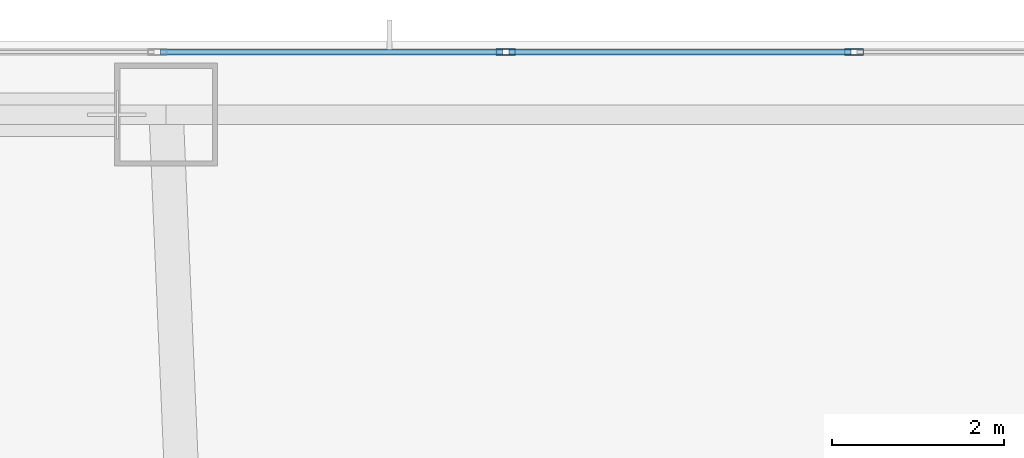
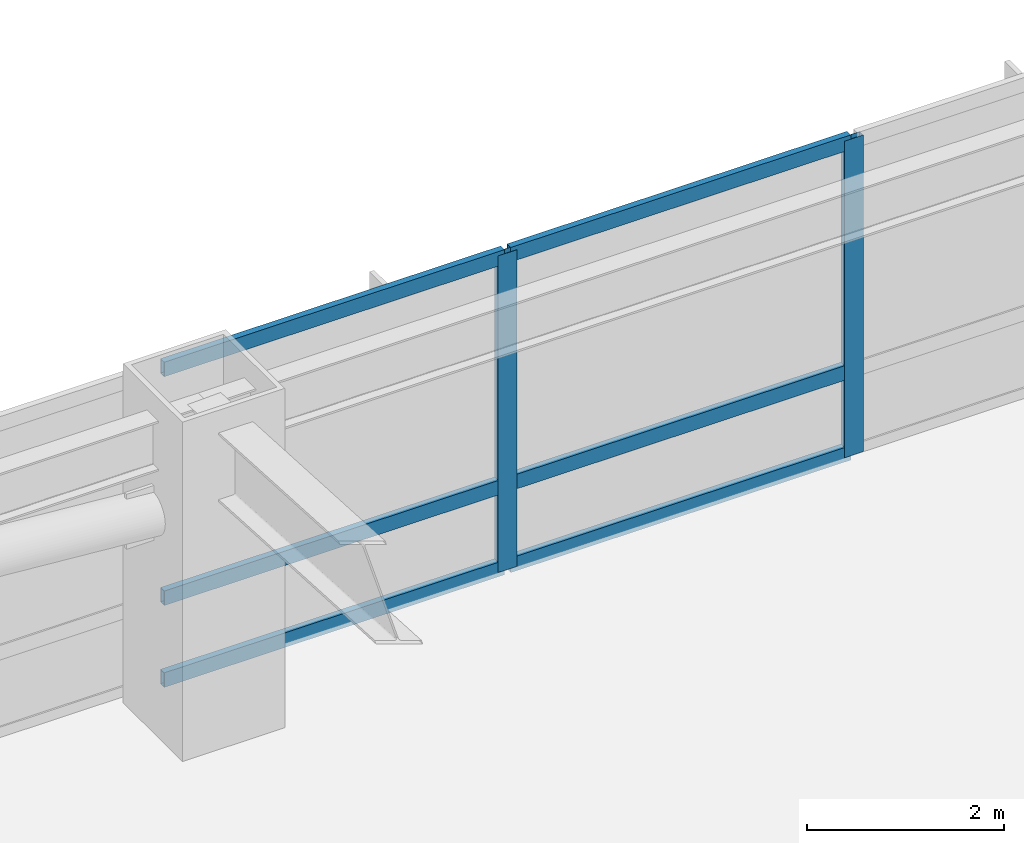
# One storey, part 4 of 25: 8 members, 1 element without a shape of its own.
"""IFC4 building model written with IfcOpenShell, lengths in metres."""

from ifc_helpers import new_model, si_unit, direction, frame, origin, origin_2d, place, context, subcontext, project, spatial, hollow_rectangle, extrude, material, material_profile, profile_set, type_object, element, aggregate, save


model = new_model("IFC4")

# Units and contexts
model_context = context("Model", 3, precision=1e-05, world=origin(), true_north=direction((0.0, 1.0)))
body_context = subcontext(model_context, "Body", "Model", "MODEL_VIEW")
ifc_project = project(units=[si_unit("LENGTHUNIT", "METRE"), si_unit("AREAUNIT", "SQUARE_METRE"), si_unit("VOLUMEUNIT", "CUBIC_METRE"), si_unit("PLANEANGLEUNIT", "RADIAN"), si_unit("MASSUNIT", "GRAM", prefix="KILO")], contexts=[model_context])

# Site, building, storey
site_placement = place(None, origin())
site = spatial("IfcSite", under=ifc_project, at=site_placement, CompositionType="ELEMENT")
building_placement = place(site_placement, origin())
building = spatial("IfcBuilding", under=site, at=building_placement, Name="Khamvora Tower", CompositionType="ELEMENT")
storey_placement = place(building_placement, frame((0.0, 0.0, 24.60009765625)))
storey = spatial("IfcBuildingStorey", under=building, at=storey_placement, Name="L05", CompositionType="ELEMENT", Elevation=24.60009765625)

# Curtain wall, members
ifc_material = material(Name="Anodised Aluminium 6063-T6", Category="aluminium")
curtain_wall_type = type_object("IfcCurtainWallType", Name="CW-SYS-01", PredefinedType="NOTDEFINED", material=ifc_material)
curtain_wall_placement = place(storey_placement, origin())
curtain_wall = element("IfcCurtainWall", 1, at=curtain_wall_placement, inside=storey, type_object=curtain_wall_type, Name="L05 stick curtain wall 07.1", PredefinedType="NOTDEFINED")
ifc_material_profile_1 = material_profile(ifc_material, hollow_rectangle(XDim=0.074951171875, YDim=0.219970703125, WallThickness=0.0048828125, at=origin_2d()), Name="MUL75x220x5")
ifc_profile_set_1 = profile_set([ifc_material_profile_1], Name="Anodised Aluminium 6063-T6")
member_type_1 = type_object("IfcMemberType", Name="CW-SYS-01-MUL", PredefinedType="MULLION", material=ifc_profile_set_1)
member_1_placement = place(storey_placement, frame((21.95361328125, 55.8798828125, 0.0), z_axis=(0.0, 0.0, 1.0), x_axis=(0.0, 1.0, 0.0)))
member_1 = element("IfcMember", 2, at=member_1_placement, type_object=member_type_1, Name="CW-01 mullion 5", PredefinedType="MULLION", context=body_context, shape_type="SweptSolid", body=[
    extrude(hollow_rectangle(XDim=0.074951171875, YDim=0.219970703125, WallThickness=0.0048828125, at=origin_2d()), origin(), (0.0, 0.0, 1.0), 3.919921875),
])
member_2_placement = place(storey_placement, frame((26.01025390625, 55.8798828125, 0.0), z_axis=(0.0, 0.0, 1.0), x_axis=(0.0, 1.0, 0.0)))
member_2 = element("IfcMember", 3, at=member_2_placement, type_object=member_type_1, Name="CW-01 mullion 6", PredefinedType="MULLION", context=body_context, shape_type="SweptSolid", body=[
    extrude(hollow_rectangle(XDim=0.074951171875, YDim=0.219970703125, WallThickness=0.0048828125, at=origin_2d()), origin(), (0.0, 0.0, 1.0), 3.919921875),
])
ifc_material_profile_2 = material_profile(ifc_material, hollow_rectangle(XDim=0.074951171875, YDim=0.179931640625, WallThickness=0.0048828125, at=origin_2d()), Name="TRN75x180x5")
ifc_profile_set_2 = profile_set([ifc_material_profile_2], Name="Anodised Aluminium 6063-T6")
member_type_2 = type_object("IfcMemberType", Name="CW-SYS-01-TRN", PredefinedType="USERDEFINED", material=ifc_profile_set_2)
member_3_placement = place(storey_placement, frame((17.934326171875, 55.8798828125, 0.037353515625), z_axis=(1.0, 0.0, 0.0), x_axis=(0.0, 1.0, 0.0)))
member_3 = element("IfcMember", 4, at=member_3_placement, type_object=member_type_2, Name="CW-01 transom 4.1", ObjectType="TRANSOM", PredefinedType="USERDEFINED", context=body_context, shape_type="SweptSolid", body=[
    extrude(hollow_rectangle(XDim=0.074951171875, YDim=0.179931640625, WallThickness=0.0048828125, at=origin_2d()), origin(), (0.0, 0.0, 1.0), 3.981689453125),
])
member_4_placement = place(storey_placement, frame((17.934326171875, 55.8798828125, 1.0498046875), z_axis=(1.0, 0.0, 0.0), x_axis=(0.0, 1.0, 0.0)))
member_4 = element("IfcMember", 5, at=member_4_placement, type_object=member_type_2, Name="CW-01 transom 4.2", ObjectType="TRANSOM", PredefinedType="USERDEFINED", context=body_context, shape_type="SweptSolid", body=[
    extrude(hollow_rectangle(XDim=0.074951171875, YDim=0.179931640625, WallThickness=0.0048828125, at=origin_2d()), origin(), (0.0, 0.0, 1.0), 3.981689453125),
])
member_5_placement = place(storey_placement, frame((17.934326171875, 55.8798828125, 3.88232421875), z_axis=(1.0, 0.0, 0.0), x_axis=(0.0, 1.0, 0.0)))
member_5 = element("IfcMember", 6, at=member_5_placement, type_object=member_type_2, Name="CW-01 transom 4.3", ObjectType="TRANSOM", PredefinedType="USERDEFINED", context=body_context, shape_type="SweptSolid", body=[
    extrude(hollow_rectangle(XDim=0.074951171875, YDim=0.179931640625, WallThickness=0.0048828125, at=origin_2d()), origin(), (0.0, 0.0, 1.0), 3.981689453125),
])
member_6_placement = place(storey_placement, frame((21.990966796875, 55.8798828125, 0.037353515625), z_axis=(1.0, 0.0, 0.0), x_axis=(0.0, 1.0, 0.0)))
member_6 = element("IfcMember", 7, at=member_6_placement, type_object=member_type_2, Name="CW-01 transom 5.1", ObjectType="TRANSOM", PredefinedType="USERDEFINED", context=body_context, shape_type="SweptSolid", body=[
    extrude(hollow_rectangle(XDim=0.074951171875, YDim=0.179931640625, WallThickness=0.0048828125, at=origin_2d()), origin(), (0.0, 0.0, 1.0), 3.981689453125),
])
member_7_placement = place(storey_placement, frame((21.990966796875, 55.8798828125, 1.0498046875), z_axis=(1.0, 0.0, 0.0), x_axis=(0.0, 1.0, 0.0)))
member_7 = element("IfcMember", 8, at=member_7_placement, type_object=member_type_2, Name="CW-01 transom 5.2", ObjectType="TRANSOM", PredefinedType="USERDEFINED", context=body_context, shape_type="SweptSolid", body=[
    extrude(hollow_rectangle(XDim=0.074951171875, YDim=0.179931640625, WallThickness=0.0048828125, at=origin_2d()), origin(), (0.0, 0.0, 1.0), 3.981689453125),
])
member_8_placement = place(storey_placement, frame((21.990966796875, 55.8798828125, 3.88232421875), z_axis=(1.0, 0.0, 0.0), x_axis=(0.0, 1.0, 0.0)))
member_8 = element("IfcMember", 9, at=member_8_placement, type_object=member_type_2, Name="CW-01 transom 5.3", ObjectType="TRANSOM", PredefinedType="USERDEFINED", context=body_context, shape_type="SweptSolid", body=[
    extrude(hollow_rectangle(XDim=0.074951171875, YDim=0.179931640625, WallThickness=0.0048828125, at=origin_2d()), origin(), (0.0, 0.0, 1.0), 3.981689453125),
])
aggregate(curtain_wall, [member_1, member_2, member_3, member_4, member_5, member_6, member_7, member_8])

save(model, "model.ifc")
